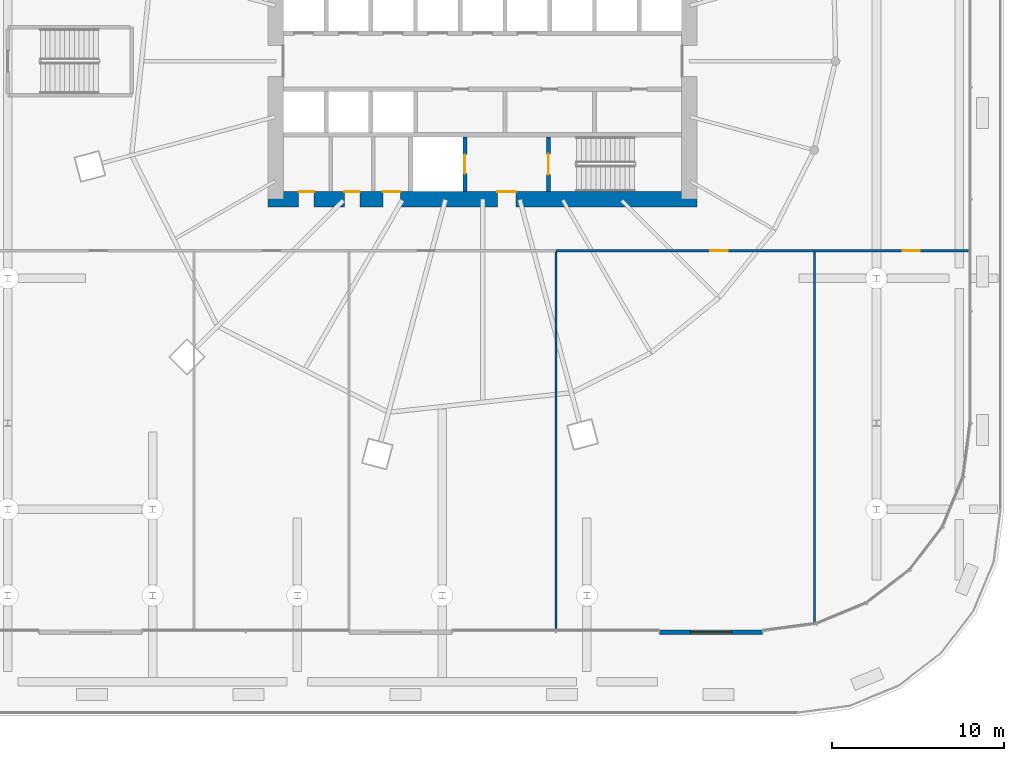
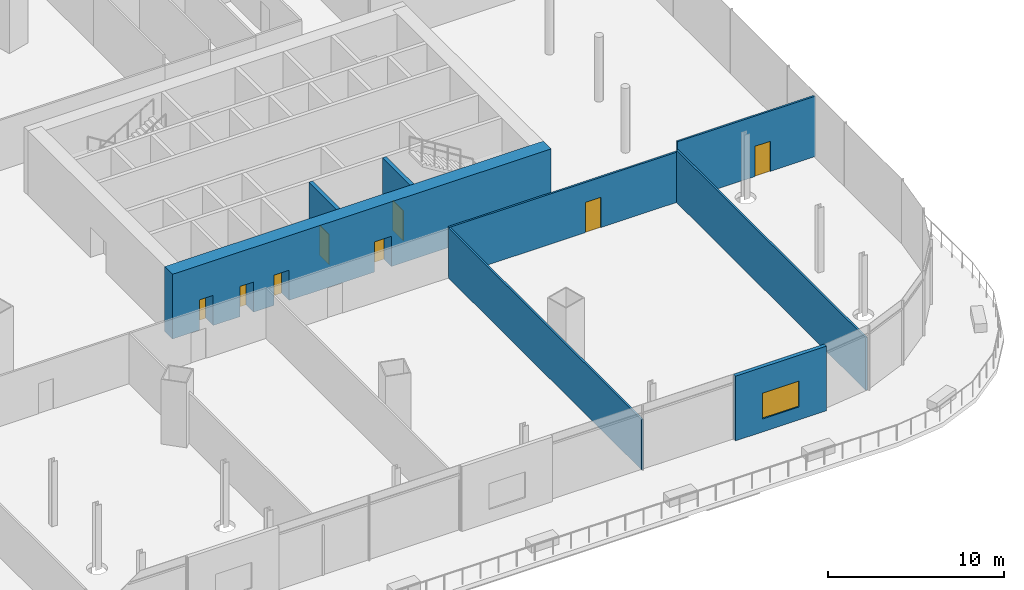
# One storey, part 41 of 56: 8 doors, 8 walls, 1 window, 9 openings.
"""IFC4 building model written with IfcOpenShell, lengths in metres."""

from ifc_helpers import new_model, si_unit, direction, frame, frame_2d, origin, place, context, subcontext, project, spatial, rectangle, extrude, material, layer, layer_set, type_object, element, fill, save


model = new_model("IFC4")

# Units and contexts
model_context = context("Model", 3, precision=1e-05, world=origin(), true_north=direction((0.0, 1.0)))
body_context = subcontext(model_context, "Body", "Model", "MODEL_VIEW")
ifc_project = project(units=[si_unit("LENGTHUNIT", "METRE"), si_unit("AREAUNIT", "SQUARE_METRE"), si_unit("VOLUMEUNIT", "CUBIC_METRE"), si_unit("PLANEANGLEUNIT", "RADIAN"), si_unit("MASSUNIT", "GRAM", prefix="KILO")], contexts=[model_context])

# Site, building, storey
site_placement = place(None, origin())
site = spatial("IfcSite", under=ifc_project, at=site_placement, CompositionType="ELEMENT")
building_placement = place(site_placement, origin())
building = spatial("IfcBuilding", under=site, at=building_placement, Name="Rimbun Link Towers", CompositionType="ELEMENT")
storey_placement = place(building_placement, frame((0.0, 0.0, 16.5)))
storey = spatial("IfcBuildingStorey", under=building, at=storey_placement, Name="L03", CompositionType="ELEMENT", Elevation=16.5)

# Wall, openings, doors
ifc_material_1 = material(Name="Concrete C60/75", Category="concrete")
ifc_layer_1 = layer(ifc_material_1, 0.89990234375)
ifc_layer_set_1 = layer_set([ifc_layer_1], Name="Core shear wall 900")
wall_type_1 = type_object("IfcWallType", Name="Core shear wall 900", PredefinedType="SHEAR", material=ifc_layer_set_1)
wall_1_placement = place(storey_placement, frame((19.300048828125, -8.0, 0.0), z_axis=(0.0, 0.0, 1.0), x_axis=(1.0, 0.0, 0.0)))
wall_1 = element("IfcWall", 1, at=wall_1_placement, inside=storey, type_object=wall_type_1, Name="L03 T2 core wall S", PredefinedType="SHEAR", context=body_context, shape_type="SweptSolid", body=[
    extrude(rectangle(XDim=24.89990234375, YDim=0.89990234375, at=frame_2d((12.449951171875, 0.0))), origin(), (0.0, 0.0, 1.0), 4.5),
])
opening_1_placement = place(wall_1_placement, frame((13.300048828125, 0.0, 0.0)))
opening_1 = element("IfcOpeningElement", 2, at=opening_1_placement, cuts=wall_1, Name="Opening C2DCF01S", PredefinedType="OPENING", context=body_context, shape_type="SweptSolid", body=[
    extrude(rectangle(XDim=1.10009765625, YDim=2.10009765625, at=frame_2d((0.550048828125, 1.050048828125))), frame((0.0, 0.4599609375, 0.0), z_axis=(0.0, -1.0, 0.0), x_axis=(1.0, 0.0, 0.0)), (0.0, 0.0, 1.0), 0.919921875),
])
opening_2_placement = place(wall_1_placement, frame((1.77490234375, 0.0, 0.0)))
opening_2 = element("IfcOpeningElement", 3, at=opening_2_placement, cuts=wall_1, Name="Opening C2DWC02S", PredefinedType="OPENING", context=body_context, shape_type="SweptSolid", body=[
    extrude(rectangle(XDim=0.89990234375, YDim=2.10009765625, at=frame_2d((0.449951171875, 1.050048828125))), frame((0.0, 0.4599609375, 0.0), z_axis=(0.0, -1.0, 0.0), x_axis=(1.0, 0.0, 0.0)), (0.0, 0.0, 1.0), 0.919921875),
])
opening_3_placement = place(wall_1_placement, frame((4.425048828125, 0.0, 0.0)))
opening_3 = element("IfcOpeningElement", 4, at=opening_3_placement, cuts=wall_1, Name="Opening C2DWC03S", PredefinedType="OPENING", context=body_context, shape_type="SweptSolid", body=[
    extrude(rectangle(XDim=0.89990234375, YDim=2.10009765625, at=frame_2d((0.449951171875, 1.050048828125))), frame((0.0, 0.4599609375, 0.0), z_axis=(0.0, -1.0, 0.0), x_axis=(1.0, 0.0, 0.0)), (0.0, 0.0, 1.0), 0.919921875),
])
opening_4_placement = place(wall_1_placement, frame((6.675048828125, 0.0, 0.0)))
opening_4 = element("IfcOpeningElement", 5, at=opening_4_placement, cuts=wall_1, Name="Opening C2DAW04S", PredefinedType="OPENING", context=body_context, shape_type="SweptSolid", body=[
    extrude(rectangle(XDim=1.0, YDim=2.10009765625, at=frame_2d((0.5, 1.050048828125))), frame((0.0, 0.4599609375, 0.0), z_axis=(0.0, -1.0, 0.0), x_axis=(1.0, 0.0, 0.0)), (0.0, 0.0, 1.0), 0.919921875),
])
ifc_material_2 = material(Name="Timber", Category="wood")
door_type_1 = type_object("IfcDoorType", Name="Accessible WC door", OperationType="SINGLE_SWING_LEFT", PredefinedType="DOOR", material=ifc_material_2)
door_1_placement = place(opening_4_placement, origin())
door_1 = element("IfcDoor", 6, at=door_1_placement, inside=storey, type_object=door_type_1, Name="L03 T2 accessible wc door", OperationType="SINGLE_SWING_LEFT", OverallHeight=2.10009765625, OverallWidth=1.0, PredefinedType="DOOR", context=body_context, shape_type="SweptSolid", body=[
    extrude(rectangle(XDim=1.0, YDim=2.10009765625, at=frame_2d((0.5, 1.050048828125))), frame((0.0, 0.4501953125, 0.0), z_axis=(0.0, -1.0, 0.0), x_axis=(1.0, 0.0, 0.0)), (0.0, 0.0, 1.0), 0.050048828125),
])
fill(opening_4, door_1)
ifc_material_3 = material(Name="Steel fire door set", Category="steel")
door_type_2 = type_object("IfcDoorType", Name="Core fire door single", OperationType="SINGLE_SWING_LEFT", PredefinedType="DOOR", material=ifc_material_3)
door_2_placement = place(opening_1_placement, origin())
door_2 = element("IfcDoor", 7, at=door_2_placement, inside=storey, type_object=door_type_2, Name="L03 T2 firefighting lobby s door", OperationType="SINGLE_SWING_RIGHT", OverallHeight=2.10009765625, OverallWidth=1.10009765625, PredefinedType="DOOR", context=body_context, shape_type="SweptSolid", body=[
    extrude(rectangle(XDim=1.10009765625, YDim=2.10009765625, at=frame_2d((0.550048828125, 1.050048828125))), frame((0.0, 0.4501953125, 0.0), z_axis=(0.0, -1.0, 0.0), x_axis=(1.0, 0.0, 0.0)), (0.0, 0.0, 1.0), 0.050048828125),
])
fill(opening_1, door_2)
ifc_material_4 = material(Name="Timber", Category="wood")
door_type_3 = type_object("IfcDoorType", Name="WC door", OperationType="SINGLE_SWING_LEFT", PredefinedType="DOOR", material=ifc_material_4)
door_3_placement = place(opening_2_placement, origin())
door_3 = element("IfcDoor", 8, at=door_3_placement, inside=storey, type_object=door_type_3, Name="L03 T2 male wc door", OperationType="SINGLE_SWING_RIGHT", OverallHeight=2.10009765625, OverallWidth=0.89990234375, PredefinedType="DOOR", context=body_context, shape_type="SweptSolid", body=[
    extrude(rectangle(XDim=0.89990234375, YDim=2.10009765625, at=frame_2d((0.449951171875, 1.050048828125))), frame((0.0, 0.4501953125, 0.0), z_axis=(0.0, -1.0, 0.0), x_axis=(1.0, 0.0, 0.0)), (0.0, 0.0, 1.0), 0.050048828125),
])
fill(opening_2, door_3)
door_4_placement = place(opening_3_placement, origin())
door_4 = element("IfcDoor", 9, at=door_4_placement, inside=storey, type_object=door_type_3, Name="L03 T2 female wc door", OperationType="SINGLE_SWING_RIGHT", OverallHeight=2.10009765625, OverallWidth=0.89990234375, PredefinedType="DOOR", context=body_context, shape_type="SweptSolid", body=[
    extrude(rectangle(XDim=0.89990234375, YDim=2.10009765625, at=frame_2d((0.449951171875, 1.050048828125))), frame((0.0, 0.4501953125, 0.0), z_axis=(0.0, -1.0, 0.0), x_axis=(1.0, 0.0, 0.0)), (0.0, 0.0, 1.0), 0.050048828125),
])
fill(opening_3, door_4)

# Wall, opening, window
ifc_material_5 = material(Name="Concrete C32/40, terracotta rainscreen cladding", Category="masonry")
ifc_layer_2 = layer(ifc_material_5, 0.25)
ifc_layer_set_2 = layer_set([ifc_layer_2], Name="PD solid bay wall 250")
wall_type_2 = type_object("IfcWallType", Name="PD solid bay wall 250", PredefinedType="STANDARD", material=ifc_layer_set_2)
wall_2_placement = place(storey_placement, frame((47.97998046875, -33.125, 0.0), z_axis=(0.0, 0.0, 1.0), x_axis=(-1.0, 0.0, 0.0)))
wall_2 = element("IfcWall", 10, at=wall_2_placement, inside=storey, type_object=wall_type_2, Name="Solid bay wall", PredefinedType="STANDARD", context=body_context, shape_type="SweptSolid", body=[
    extrude(rectangle(XDim=5.9599609375, YDim=0.25, at=frame_2d((2.97998046875, 0.0))), origin(), (0.0, 0.0, 1.0), 4.5),
])
opening_5_placement = place(wall_2_placement, frame((1.780029296875, 0.0, 0.89990234375)))
opening_5 = element("IfcOpeningElement", 11, at=opening_5_placement, cuts=wall_2, Name="Opening WN15", PredefinedType="OPENING", context=body_context, shape_type="SweptSolid", body=[
    extrude(rectangle(XDim=2.39990234375, YDim=1.800048828125, at=frame_2d((1.199951171875, 0.89990234375))), frame((0.0, 0.135009765625, 0.0), z_axis=(0.0, -1.0, 0.0), x_axis=(1.0, 0.0, 0.0)), (0.0, 0.0, 1.0), 0.27001953125),
])
ifc_material_6 = material(Name="Aluminium framed window, low-iron glass", Category="aluminium")
window_type = type_object("IfcWindowType", Name="W1 podium window 2400X1800", PartitioningType="SINGLE_PANEL", PredefinedType="WINDOW", material=ifc_material_6)
window_placement = place(opening_5_placement, origin())
window = element("IfcWindow", 12, at=window_placement, inside=storey, type_object=window_type, Name="Podium window", OverallHeight=1.800048828125, OverallWidth=2.39990234375, PartitioningType="SINGLE_PANEL", PredefinedType="WINDOW", context=body_context, shape_type="SweptSolid", body=[
    extrude(rectangle(XDim=2.39990234375, YDim=1.800048828125, at=frame_2d((1.199951171875, 0.89990234375))), frame((0.0, 0.030029296875, 0.0), z_axis=(0.0, -1.0, 0.0), x_axis=(1.0, 0.0, 0.0)), (0.0, 0.0, 1.0), 0.06005859375),
])
fill(opening_5, window)

# Wall, opening, door
ifc_material_7 = material(Name="Gypsum board on steel studs", Category="steel")
ifc_layer_3 = layer(ifc_material_7, 0.125)
ifc_layer_set_3 = layer_set([ifc_layer_3], Name="Partition 125 board on studs")
wall_type_3 = type_object("IfcWallType", Name="Partition 125 board on studs", PredefinedType="PARTITIONING", material=ifc_layer_set_3)
wall_3_placement = place(storey_placement, frame((36.0, -11.0, 0.0), z_axis=(0.0, 0.0, 1.0), x_axis=(1.0, 0.0, 0.0)))
wall_3 = element("IfcWall", 13, at=wall_3_placement, inside=storey, type_object=wall_type_3, Name="PD/PW/L03/033", PredefinedType="PARTITIONING", context=body_context, shape_type="SweptSolid", body=[
    extrude(rectangle(XDim=15.0, YDim=0.125, at=frame_2d((7.5, 0.0))), origin(), (0.0, 0.0, 1.0), 3.49609375),
])
opening_6_placement = place(wall_3_placement, frame((8.965087890625, 0.0, 0.0)))
opening_6 = element("IfcOpeningElement", 14, at=opening_6_placement, cuts=wall_3, Name="Opening PD D03.09", PredefinedType="OPENING", context=body_context, shape_type="SweptSolid", body=[
    extrude(rectangle(XDim=1.0, YDim=2.10009765625, at=frame_2d((0.5, 1.050048828125))), frame((0.0, 0.072509765625, 0.0), z_axis=(0.0, -1.0, 0.0), x_axis=(1.0, 0.0, 0.0)), (0.0, 0.0, 1.0), 0.14501953125),
])
ifc_material_8 = material(Name="Timber door set", Category="wood")
door_type_4 = type_object("IfcDoorType", Name="Door single leaf 1000 x 2100", OperationType="NOTDEFINED", PredefinedType="DOOR", material=ifc_material_8)
door_5_placement = place(opening_6_placement, origin())
door_5 = element("IfcDoor", 15, at=door_5_placement, inside=storey, type_object=door_type_4, Name="PD/DR/L03/009", OperationType="SINGLE_SWING_RIGHT", OverallHeight=2.10009765625, OverallWidth=1.0, PredefinedType="DOOR", context=body_context, shape_type="SweptSolid", body=[
    extrude(rectangle(XDim=1.0, YDim=2.10009765625, at=frame_2d((0.5, 1.050048828125))), frame((0.0, 0.02490234375, 0.0), z_axis=(0.0, -1.0, 0.0), x_axis=(1.0, 0.0, 0.0)), (0.0, 0.0, 1.0), 0.050048828125),
])
fill(opening_6, door_5)

wall_4_placement = place(storey_placement, frame((51.0, -11.0, 0.0), z_axis=(0.0, 0.0, 1.0), x_axis=(1.0, 0.0, 0.0)))
wall_4 = element("IfcWall", 16, at=wall_4_placement, inside=storey, type_object=wall_type_3, Name="PD/PW/L03/034", PredefinedType="PARTITIONING", context=body_context, shape_type="SweptSolid", body=[
    extrude(rectangle(XDim=9.080078125, YDim=0.125, at=frame_2d((4.5400390625, 0.0))), origin(), (0.0, 0.0, 1.0), 4.199951171875),
])
opening_7_placement = place(wall_4_placement, frame((5.116943359375, 0.0, 0.0)))
opening_7 = element("IfcOpeningElement", 17, at=opening_7_placement, cuts=wall_4, Name="Opening PD D03.10", PredefinedType="OPENING", context=body_context, shape_type="SweptSolid", body=[
    extrude(rectangle(XDim=1.0, YDim=2.10009765625, at=frame_2d((0.5, 1.050048828125))), frame((0.0, 0.072509765625, 0.0), z_axis=(0.0, -1.0, 0.0), x_axis=(1.0, 0.0, 0.0)), (0.0, 0.0, 1.0), 0.14501953125),
])
door_6_placement = place(opening_7_placement, origin())
door_6 = element("IfcDoor", 18, at=door_6_placement, inside=storey, type_object=door_type_4, Name="PD/DR/L03/010", OperationType="SINGLE_SWING_LEFT", OverallHeight=2.10009765625, OverallWidth=1.0, PredefinedType="DOOR", context=body_context, shape_type="SweptSolid", body=[
    extrude(rectangle(XDim=1.0, YDim=2.10009765625, at=frame_2d((0.5, 1.050048828125))), frame((0.0, 0.02490234375, 0.0), z_axis=(0.0, -1.0, 0.0), x_axis=(1.0, 0.0, 0.0)), (0.0, 0.0, 1.0), 0.050048828125),
])
fill(opening_7, door_6)

# Walls
wall_5_placement = place(storey_placement, frame((36.0, -33.080078125, 0.0), z_axis=(0.0, 0.0, 1.0), x_axis=(0.0, 1.0, 0.0)))
element("IfcWall", 19, at=wall_5_placement, inside=storey, type_object=wall_type_3, Name="PD/PW/L03/052", PredefinedType="PARTITIONING", context=body_context, shape_type="SweptSolid", body=[
    extrude(rectangle(XDim=22.017578125, YDim=0.125, at=frame_2d((11.0087890625, 0.0))), origin(), (0.0, 0.0, 1.0), 3.49609375),
])
wall_6_placement = place(storey_placement, frame((51.0, -32.60498046875, 0.0), z_axis=(0.0, 0.0, 1.0), x_axis=(0.0, 1.0, 0.0)))
element("IfcWall", 20, at=wall_6_placement, inside=storey, type_object=wall_type_3, Name="PD/PW/L03/053", PredefinedType="PARTITIONING", context=body_context, shape_type="SweptSolid", body=[
    extrude(rectangle(XDim=21.54248046875, YDim=0.125, at=frame_2d((10.771240234375, 0.0))), origin(), (0.0, 0.0, 1.0), 3.64697265625),
])

# Wall, opening, door
ifc_material_9 = material(Name="Concrete C60/75", Category="concrete")
ifc_layer_4 = layer(ifc_material_9, 0.25)
ifc_layer_set_4 = layer_set([ifc_layer_4], Name="Shaft wall 250")
wall_type_4 = type_object("IfcWallType", Name="Shaft wall 250", PredefinedType="SHEAR", material=ifc_layer_set_4)
wall_7_placement = place(storey_placement, frame((35.574951171875, -4.39990234375, 0.0), z_axis=(0.0, 0.0, 1.0), x_axis=(0.0, -1.0, 0.0)))
wall_7 = element("IfcWall", 21, at=wall_7_placement, inside=storey, type_object=wall_type_4, Name="L03 T2 core wall B1", PredefinedType="SHEAR", context=body_context, shape_type="SweptSolid", body=[
    extrude(rectangle(XDim=3.150146484375, YDim=0.25, at=frame_2d((1.5751953125, 0.0))), origin(), (0.0, 0.0, 1.0), 4.5),
])
opening_8_placement = place(wall_7_placement, frame((0.97509765625, 0.0, 0.0)))
opening_8 = element("IfcOpeningElement", 22, at=opening_8_placement, cuts=wall_7, Name="Opening C2DST01B1", PredefinedType="OPENING", context=body_context, shape_type="SweptSolid", body=[
    extrude(rectangle(XDim=1.199951171875, YDim=2.10009765625, at=frame_2d((0.60009765625, 1.050048828125))), frame((0.0, 0.135009765625, 0.0), z_axis=(0.0, -1.0, 0.0), x_axis=(1.0, 0.0, 0.0)), (0.0, 0.0, 1.0), 0.27001953125),
])
ifc_material_10 = material(Name="Steel fire door set", Category="steel")
door_type_5 = type_object("IfcDoorType", Name="Stair door", OperationType="SINGLE_SWING_LEFT", PredefinedType="DOOR", material=ifc_material_10)
door_7_placement = place(opening_8_placement, origin())
door_7 = element("IfcDoor", 23, at=door_7_placement, inside=storey, type_object=door_type_5, Name="L03 T2 stair b door", OperationType="SINGLE_SWING_LEFT", OverallHeight=2.10009765625, OverallWidth=1.199951171875, PredefinedType="DOOR", context=body_context, shape_type="SweptSolid", body=[
    extrude(rectangle(XDim=1.199951171875, YDim=2.10009765625, at=frame_2d((0.60009765625, 1.050048828125))), frame((0.0, 0.02490234375, 0.0), z_axis=(0.0, -1.0, 0.0), x_axis=(1.0, 0.0, 0.0)), (0.0, 0.0, 1.0), 0.050048828125),
])
fill(opening_8, door_7)

wall_8_placement = place(storey_placement, frame((30.72509765625, -4.39990234375, 0.0), z_axis=(0.0, 0.0, 1.0), x_axis=(0.0, -1.0, 0.0)))
wall_8 = element("IfcWall", 24, at=wall_8_placement, inside=storey, type_object=wall_type_4, Name="L03 T2 core wall B2", PredefinedType="SHEAR", context=body_context, shape_type="SweptSolid", body=[
    extrude(rectangle(XDim=3.150146484375, YDim=0.25, at=frame_2d((1.5751953125, 0.0))), origin(), (0.0, 0.0, 1.0), 4.5),
])
opening_9_placement = place(wall_8_placement, frame((1.02490234375, 0.0, 0.0)))
opening_9 = element("IfcOpeningElement", 25, at=opening_9_placement, cuts=wall_8, Name="Opening LD-T2-FF2", PredefinedType="OPENING", context=body_context, shape_type="SweptSolid", body=[
    extrude(rectangle(XDim=1.10009765625, YDim=2.10009765625, at=frame_2d((0.550048828125, 1.050048828125))), frame((0.0, 0.135009765625, 0.0), z_axis=(0.0, -1.0, 0.0), x_axis=(1.0, 0.0, 0.0)), (0.0, 0.0, 1.0), 0.27001953125),
])
ifc_material_11 = material(Name="Stainless steel grade 316", Category="steel")
door_type_6 = type_object("IfcDoorType", Name="Lift landing door", OperationType="DOUBLE_DOOR_SLIDING", PredefinedType="DOOR", material=ifc_material_11)
door_8_placement = place(opening_9_placement, origin())
door_8 = element("IfcDoor", 26, at=door_8_placement, inside=storey, type_object=door_type_6, Name="L03 T2 lift FF2 landing door", OperationType="DOUBLE_DOOR_SLIDING", OverallHeight=2.10009765625, OverallWidth=1.10009765625, PredefinedType="DOOR", context=body_context, shape_type="SweptSolid", body=[
    extrude(rectangle(XDim=1.10009765625, YDim=2.10009765625, at=frame_2d((0.550048828125, 1.050048828125))), frame((0.0, 0.02490234375, 0.0), z_axis=(0.0, -1.0, 0.0), x_axis=(1.0, 0.0, 0.0)), (0.0, 0.0, 1.0), 0.050048828125),
])
fill(opening_9, door_8)

save(model, "model.ifc")
